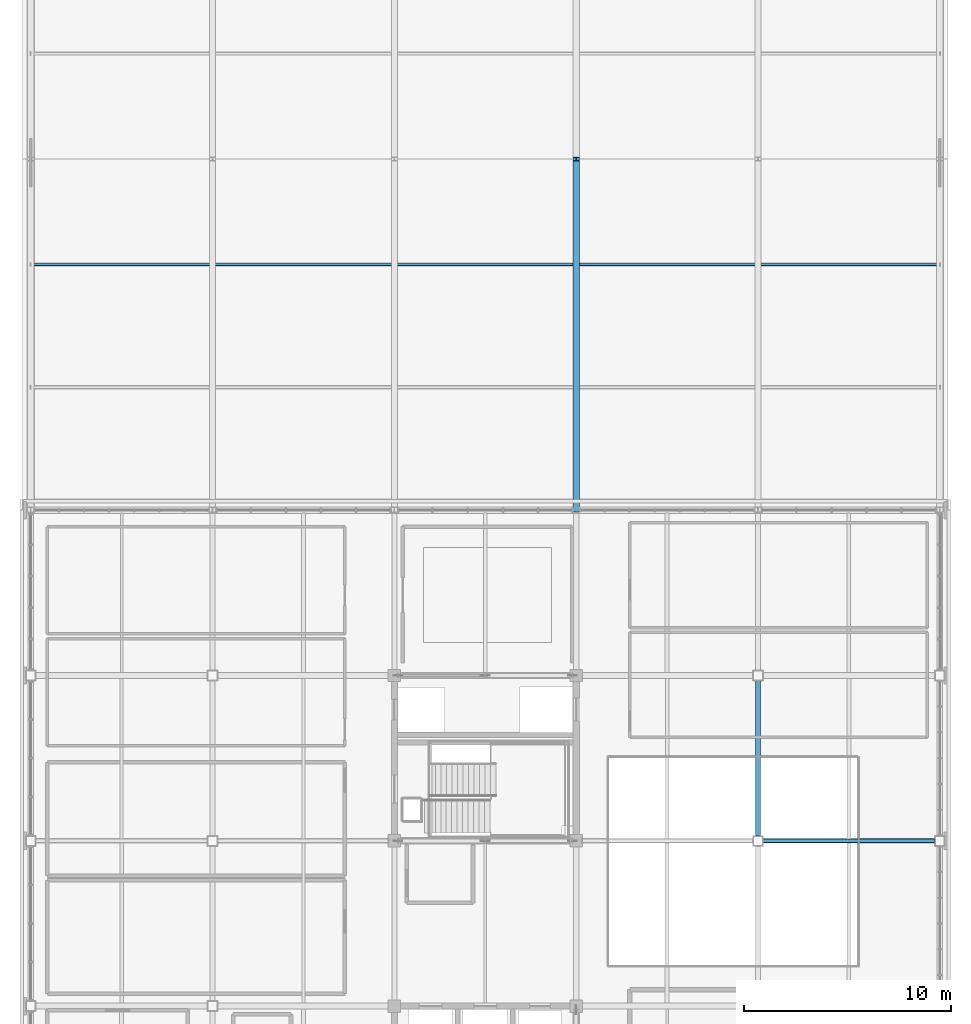
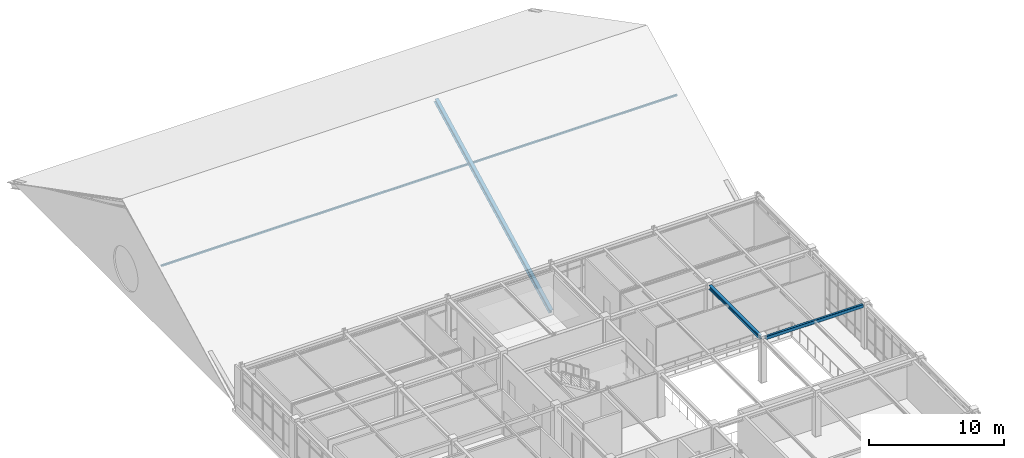
# One storey, part 18 of 45: 2 beams, 2 members.
"""IFC4 building model written with IfcOpenShell, lengths in metres."""

from ifc_helpers import new_model, si_unit, direction, frame, origin, origin_2d, place, context, subcontext, project, spatial, hollow_rectangle, i_section, extrude, material, material_profile, profile_set, type_object, element, save


model = new_model("IFC4")

# Units and contexts
model_context = context("Model", 3, precision=1e-05, world=origin(), true_north=direction((0.0, 1.0)))
body_context = subcontext(model_context, "Body", "Model", "MODEL_VIEW")
ifc_project = project(units=[si_unit("LENGTHUNIT", "METRE"), si_unit("AREAUNIT", "SQUARE_METRE"), si_unit("VOLUMEUNIT", "CUBIC_METRE"), si_unit("PLANEANGLEUNIT", "RADIAN"), si_unit("MASSUNIT", "GRAM", prefix="KILO")], contexts=[model_context])

# Site, building, storey
site_placement = place(None, origin())
site = spatial("IfcSite", under=ifc_project, at=site_placement, CompositionType="ELEMENT")
building_placement = place(site_placement, origin())
building = spatial("IfcBuilding", under=site, at=building_placement, Name="Zhaolan Boulevard Law Courts", CompositionType="ELEMENT")
storey_placement = place(building_placement, frame((0.0, 0.0, 24.60009765625)))
storey = spatial("IfcBuildingStorey", under=building, at=storey_placement, Name="L05", CompositionType="ELEMENT", Elevation=24.60009765625)

# Beam
ifc_material_1 = material(Name="Structural steel Q355B", Category="steel")
ifc_material_profile_1 = material_profile(ifc_material_1, i_section(OverallWidth=0.25, OverallDepth=0.340087890625, WebThickness=0.009033203125, FlangeThickness=0.013916015625, FilletRadius=0.01611328125, at=origin_2d()), Name="HM340x250")
ifc_profile_set_1 = profile_set([ifc_material_profile_1], Name="Structural steel Q355B")
beam_type_1 = type_object("IfcBeamType", Name="GIRDER HM340", PredefinedType="BEAM", material=ifc_profile_set_1)
beam_1_placement = place(storey_placement, frame((35.199951171875, 62.24609375, 3.77783203125), z_axis=(0.0, 1.0, 0.0), x_axis=(-1.0, 0.0, 0.0)))
element("IfcBeam", 1, at=beam_1_placement, inside=storey, type_object=beam_type_1, Name="Beam BY-L06-5-J-K", PredefinedType="BEAM", context=body_context, shape_type="SweptSolid", body=[
    extrude(i_section(OverallWidth=0.25, OverallDepth=0.340087890625, WebThickness=0.009033203125, FlangeThickness=0.013916015625, FilletRadius=0.01611328125, at=origin_2d()), origin(), (0.0, 0.0, 1.0), 7.5078125),
])

# Members
ifc_material_2 = material(Name="Structural steel Q355B", Category="steel")
ifc_material_profile_2 = material_profile(ifc_material_2, hollow_rectangle(XDim=0.14990234375, YDim=0.14990234375, WallThickness=0.008056640625, InnerFilletRadius=0.008056640625, OuterFilletRadius=0.01611328125, at=origin_2d()), Name="HSS150x150x8")
ifc_profile_set_2 = profile_set([ifc_material_profile_2], Name="Structural steel Q355B")
member_type_1 = type_object("IfcMemberType", Name="PURLIN HSS150 S", PredefinedType="PURLIN", material=ifc_profile_set_2)
member_1_placement = place(storey_placement, frame((0.0, 89.89990234375, 5.781005859375), z_axis=(1.0, 0.0, 0.0), x_axis=(0.0, 1.0, 0.0)))
element("IfcMember", 2, at=member_1_placement, inside=storey, type_object=member_type_1, Name="Library Roof Purlin LPR-S2", PredefinedType="PURLIN", context=body_context, shape_type="SweptSolid", body=[
    extrude(hollow_rectangle(XDim=0.14990234375, YDim=0.14990234375, WallThickness=0.008056640625, InnerFilletRadius=0.008056640625, OuterFilletRadius=0.01611328125, at=origin_2d()), origin(), (0.0, 0.0, 1.0), 44.0),
])
ifc_material_3 = material(Name="Structural steel Q355B", Category="steel")
ifc_material_profile_3 = material_profile(ifc_material_3, i_section(OverallWidth=0.300048828125, OverallDepth=0.389892578125, WebThickness=0.010009765625, FlangeThickness=0.01611328125, FilletRadius=0.01806640625, at=origin_2d()), Name="HM390x300")
ifc_profile_set_3 = profile_set([ifc_material_profile_3], Name="Structural steel Q355B")
member_type_2 = type_object("IfcMemberType", Name="RAFTER HM390", PredefinedType="RAFTER", material=ifc_profile_set_3)
member_2_placement = place(storey_placement, frame((26.39990234375, 78.0, -0.379150390625), z_axis=(0.0, 0.888069541, 0.459709136681), x_axis=(-1.0, 0.0, 0.0)))
element("IfcMember", 3, at=member_2_placement, inside=storey, type_object=member_type_2, Name="Law Library Rafter LRF-S", PredefinedType="RAFTER", context=body_context, shape_type="SweptSolid", body=[
    extrude(i_section(OverallWidth=0.300048828125, OverallDepth=0.389892578125, WebThickness=0.010009765625, FlangeThickness=0.01611328125, FilletRadius=0.01806640625, at=origin_2d()), origin(), (0.0, 0.0, 1.0), 19.142578125),
])

# Beam
ifc_material_4 = material(Name="Structural steel Q355B", Category="steel")
ifc_material_profile_4 = material_profile(ifc_material_4, hollow_rectangle(XDim=0.199951171875, YDim=0.300048828125, WallThickness=0.011962890625, InnerFilletRadius=0.011962890625, OuterFilletRadius=0.02392578125, at=origin_2d()), Name="HSS300x200x12")
ifc_profile_set_4 = profile_set([ifc_material_profile_4], Name="Structural steel Q355B")
beam_type_2 = type_object("IfcBeamType", Name="SPANDREL HSS300", PredefinedType="SPANDREL", material=ifc_profile_set_4)
beam_2_placement = place(storey_placement, frame((35.446044921875, 62.0, 3.7978515625), z_axis=(1.0, 0.0, 0.0), x_axis=(0.0, 1.0, 0.0)))
element("IfcBeam", 4, at=beam_2_placement, inside=storey, type_object=beam_type_2, Name="Beam BX-L06-5-6-J", PredefinedType="SPANDREL", context=body_context, shape_type="SweptSolid", body=[
    extrude(hollow_rectangle(XDim=0.199951171875, YDim=0.300048828125, WallThickness=0.011962890625, InnerFilletRadius=0.011962890625, OuterFilletRadius=0.02392578125, at=origin_2d()), origin(), (0.0, 0.0, 1.0), 8.307861328125),
])

save(model, "model.ifc")
